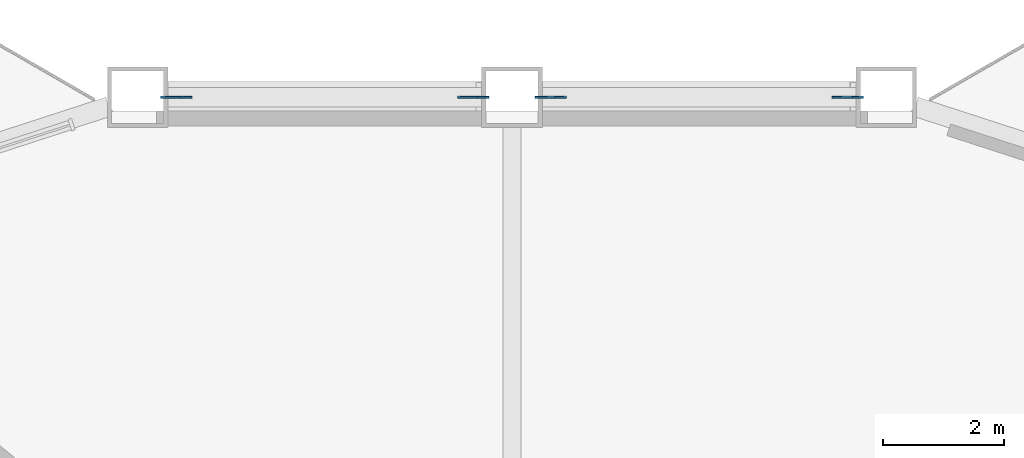
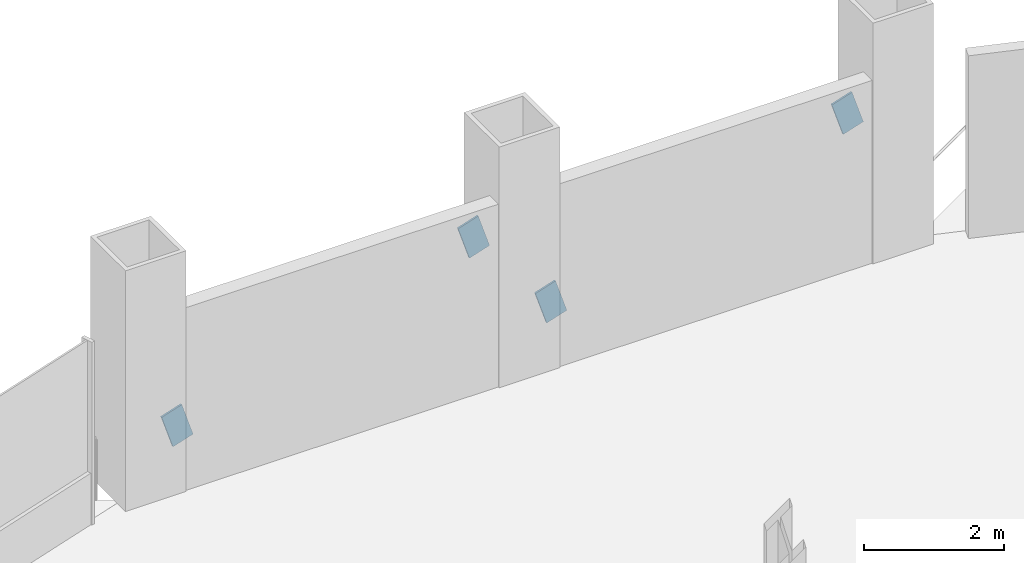
# One storey, part 15 of 20: 4 discrete accessories.
"""IFC4 building model written with IfcOpenShell, lengths in metres."""

from ifc_helpers import new_model, si_unit, direction, frame, origin, origin_2d, place, context, subcontext, project, spatial, rectangle, extrude, material, material_profile, profile_set, type_object, element, save


model = new_model("IFC4")

# Units and contexts
model_context = context("Model", 3, precision=1e-05, world=origin(), true_north=direction((0.0, 1.0)))
body_context = subcontext(model_context, "Body", "Model", "MODEL_VIEW")
ifc_project = project(units=[si_unit("LENGTHUNIT", "METRE"), si_unit("AREAUNIT", "SQUARE_METRE"), si_unit("VOLUMEUNIT", "CUBIC_METRE"), si_unit("PLANEANGLEUNIT", "RADIAN"), si_unit("MASSUNIT", "GRAM", prefix="KILO")], contexts=[model_context])

# Site, building, storey
site_placement = place(None, origin())
site = spatial("IfcSite", under=ifc_project, at=site_placement, CompositionType="ELEMENT")
building_placement = place(site_placement, origin())
building = spatial("IfcBuilding", under=site, at=building_placement, Name="Cormorant Prow Tower", CompositionType="ELEMENT")
storey_placement = place(building_placement, frame((0.0, 0.0, 63.60009765625)))
storey = spatial("IfcBuildingStorey", under=building, at=storey_placement, Name="L13", CompositionType="ELEMENT", Elevation=63.60009765625)

# Discrete accessories
ifc_material = material(Name="Structural steel ASTM A500 Gr C", Category="steel")
ifc_material_profile = material_profile(ifc_material, rectangle(XDim=0.031982421875, YDim=0.60791015625, at=origin_2d()), Name="Gusset plate 32x608")
ifc_profile_set = profile_set([ifc_material_profile], Name="Structural steel ASTM A500 Gr C")
discrete_accessory_type = type_object("IfcDiscreteAccessoryType", Name="Gusset plate 32x608", PredefinedType="BRACKET", material=ifc_profile_set)
for number, where, z_axis, x_axis, name in (
    (1, (0.80419921875, 32.233642578125, 0.859130859375), (-0.951708617761, 0.0, -0.307002779923), (0.0, -1.0, 0.0), "Gusset plate GP1 L13.N00.g0"),
    (2, (5.365478515625, 32.233642578125, 2.32958984375), (0.951708617761, 0.0, 0.307002779923), (0.0, 1.0, 0.0), "Gusset plate GP1 L13.N00.g1"),
    (3, (-5.365478515625, 32.233642578125, 0.859130859375), (-0.951708617761, 0.0, -0.307002779923), (0.0, -1.0, 0.0), "Gusset plate GP1 L13.N01.g0"),
    (4, (-0.80419921875, 32.233642578125, 2.32958984375), (0.951708617761, 0.0, 0.307002779923), (0.0, 1.0, 0.0), "Gusset plate GP1 L13.N01.g1"),
):
    element("IfcDiscreteAccessory", number, at=place(storey_placement, frame(where, z_axis=z_axis, x_axis=x_axis)), inside=storey, type_object=discrete_accessory_type, Name=name, PredefinedType="BRACKET", context=body_context, shape_type="SweptSolid", body=[
        extrude(rectangle(XDim=0.031982421875, YDim=0.60791015625, at=origin_2d()), origin(), (0.0, 0.0, 1.0), 0.349853515625),
    ])

save(model, "model.ifc")
